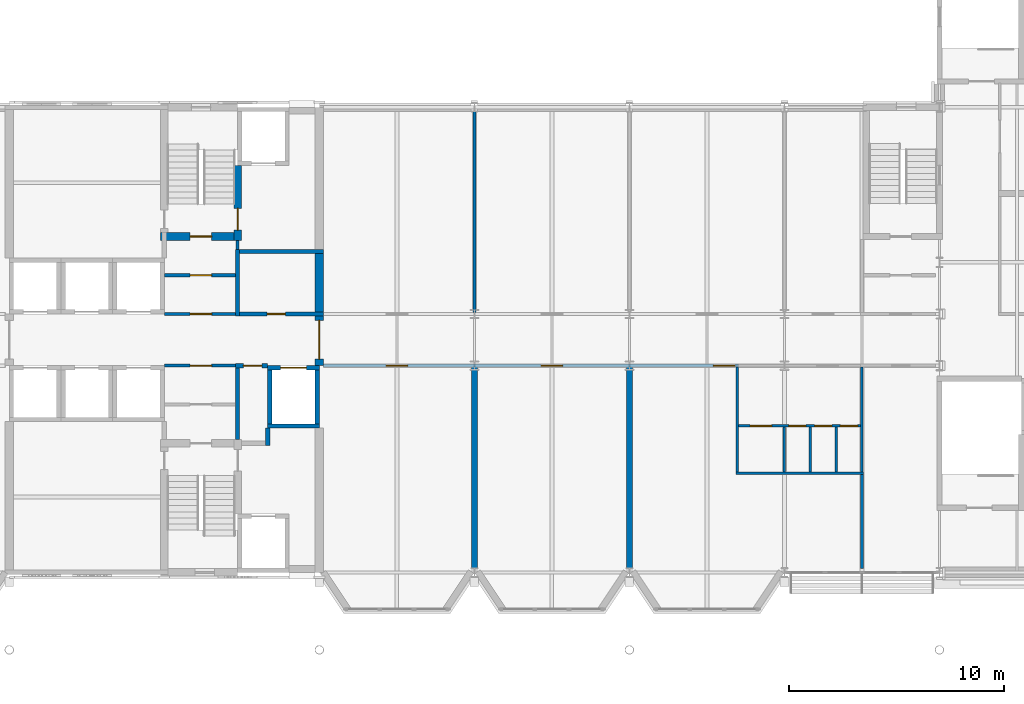
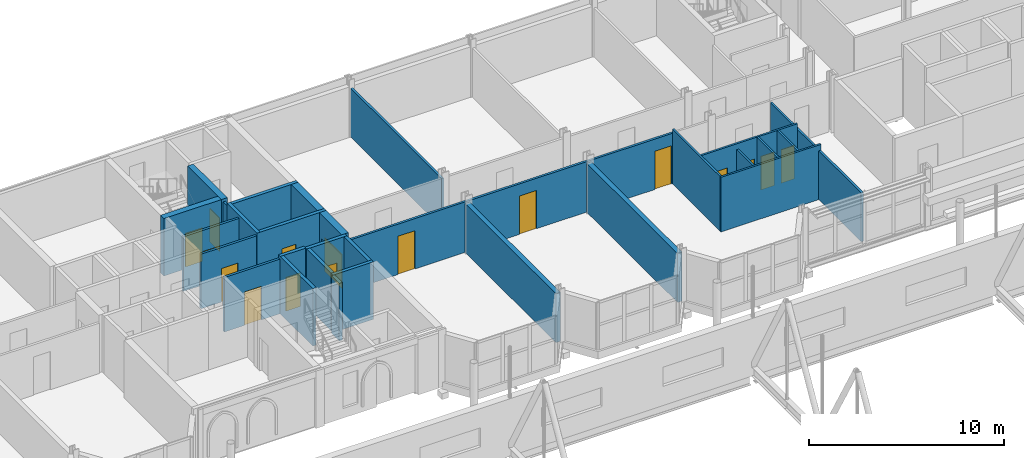
# One storey, part 99 of 142: 30 walls, 16 doors, 16 openings.
"""IFC4 building model written with IfcOpenShell, lengths in metres."""

from ifc_helpers import new_model, si_unit, direction, frame, frame_2d, origin, place, context, subcontext, project, spatial, rectangle, extrude, material, layer, layer_set, type_object, element, fill, save


model = new_model("IFC4")

# Units and contexts
model_context = context("Model", 3, precision=1e-05, world=origin(), true_north=direction((0.0, 1.0)))
body_context = subcontext(model_context, "Body", "Model", "MODEL_VIEW")
ifc_project = project(units=[si_unit("LENGTHUNIT", "METRE"), si_unit("AREAUNIT", "SQUARE_METRE"), si_unit("VOLUMEUNIT", "CUBIC_METRE"), si_unit("PLANEANGLEUNIT", "RADIAN"), si_unit("MASSUNIT", "GRAM", prefix="KILO")], contexts=[model_context])

# Site, building, storey
site_placement = place(None, origin())
site = spatial("IfcSite", under=ifc_project, at=site_placement, CompositionType="ELEMENT")
building_placement = place(site_placement, origin())
building = spatial("IfcBuilding", under=site, at=building_placement, Name="Kupolbacken Congress Centre", CompositionType="ELEMENT")
storey_placement = place(building_placement, frame((0.0, 0.0, 14.39990234375)))
storey = spatial("IfcBuildingStorey", under=building, at=storey_placement, Name="L04", CompositionType="ELEMENT", Elevation=14.39990234375)

# Wall
ifc_material_1 = material(Name="Gypsum board", Category="drywall")
ifc_layer_1 = layer(ifc_material_1, 0.114990234375)
ifc_layer_set_1 = layer_set([ifc_layer_1], Name="Gypsum board")
wall_type_1 = type_object("IfcWallType", Name="P04 partition 115", PredefinedType="PARTITIONING", material=ifc_layer_set_1)
wall_1_placement = place(storey_placement, frame((127.342529296875, 127.0, 0.0), z_axis=(0.0, 0.0, 1.0), x_axis=(1.0, 0.0, 0.0)))
element("IfcWall", 1, at=wall_1_placement, inside=storey, type_object=wall_type_1, Name="T/wall/L04/x/12700/12740", PredefinedType="PARTITIONING", context=body_context, shape_type="SweptSolid", body=[
    extrude(rectangle(XDim=5.925048828125, YDim=0.114990234375, at=frame_2d((2.96240234375, 0.0))), origin(), (0.0, 0.0, 1.0), 3.420166015625),
])

# Wall, openings, doors
wall_2_placement = place(storey_placement, frame((127.45751953125, 129.199951171875, 0.0), z_axis=(0.0, 0.0, 1.0), x_axis=(1.0, 0.0, 0.0)))
wall_2 = element("IfcWall", 2, at=wall_2_placement, inside=storey, type_object=wall_type_1, Name="T/wall/L04/x/12920/12740", PredefinedType="PARTITIONING", context=body_context, shape_type="SweptSolid", body=[
    extrude(rectangle(XDim=5.68505859375, YDim=0.114990234375, at=frame_2d((2.842529296875, 0.0))), origin(), (0.0, 0.0, 1.0), 3.420166015625),
])
opening_1_placement = place(wall_2_placement, frame((0.54248046875, 0.0, 0.0)))
opening_1 = element("IfcOpeningElement", 3, at=opening_1_placement, cuts=wall_2, Name="Opening D39", PredefinedType="OPENING", context=body_context, shape_type="SweptSolid", body=[
    extrude(rectangle(XDim=1.0, YDim=2.10009765625, at=frame_2d((0.5, 1.050048828125))), frame((0.0, 0.0673828125, 0.0), z_axis=(0.0, -1.0, 0.0), x_axis=(1.0, 0.0, 0.0)), (0.0, 0.0, 1.0), 0.135009765625),
])
opening_2_placement = place(wall_2_placement, frame((2.342529296875, 0.0, 0.0)))
opening_2 = element("IfcOpeningElement", 4, at=opening_2_placement, cuts=wall_2, Name="Opening D2", PredefinedType="OPENING", context=body_context, shape_type="SweptSolid", body=[
    extrude(rectangle(XDim=0.800048828125, YDim=2.10009765625, at=frame_2d((0.39990234375, 1.050048828125))), frame((0.0, 0.0673828125, 0.0), z_axis=(0.0, -1.0, 0.0), x_axis=(1.0, 0.0, 0.0)), (0.0, 0.0, 1.0), 0.135009765625),
])
opening_3_placement = place(wall_2_placement, frame((3.54248046875, 0.0, 0.0)))
opening_3 = element("IfcOpeningElement", 5, at=opening_3_placement, cuts=wall_2, Name="Opening D2", PredefinedType="OPENING", context=body_context, shape_type="SweptSolid", body=[
    extrude(rectangle(XDim=0.800048828125, YDim=2.10009765625, at=frame_2d((0.39990234375, 1.050048828125))), frame((0.0, 0.0673828125, 0.0), z_axis=(0.0, -1.0, 0.0), x_axis=(1.0, 0.0, 0.0)), (0.0, 0.0, 1.0), 0.135009765625),
])
opening_4_placement = place(wall_2_placement, frame((4.742431640625, 0.0, 0.0)))
opening_4 = element("IfcOpeningElement", 6, at=opening_4_placement, cuts=wall_2, Name="Opening D2", PredefinedType="OPENING", context=body_context, shape_type="SweptSolid", body=[
    extrude(rectangle(XDim=0.800048828125, YDim=2.10009765625, at=frame_2d((0.39990234375, 1.050048828125))), frame((0.0, 0.0673828125, 0.0), z_axis=(0.0, -1.0, 0.0), x_axis=(1.0, 0.0, 0.0)), (0.0, 0.0, 1.0), 0.135009765625),
])
ifc_material_2 = material(Name="Timber door leaf", Category="wood")
door_type_1 = type_object("IfcDoorType", Name="D2 door 800x2100", OperationType="SINGLE_SWING_LEFT", PredefinedType="DOOR", material=ifc_material_2)
door_1_placement = place(opening_2_placement, frame((0.800048828125, 0.0, 0.0), z_axis=(0.0, 0.0, 1.0), x_axis=(-1.0, 0.0, 0.0)))
door_1 = element("IfcDoor", 7, at=door_1_placement, inside=storey, type_object=door_type_1, Name="T/wall/L04/x/12920/12740/D-WD-DC1", OperationType="SINGLE_SWING_LEFT", OverallHeight=2.10009765625, OverallWidth=0.800048828125, PredefinedType="DOOR", context=body_context, shape_type="SweptSolid", body=[
    extrude(rectangle(XDim=0.800048828125, YDim=2.10009765625, at=frame_2d((0.39990234375, 1.050048828125))), frame((0.0, 0.02490234375, 0.0), z_axis=(0.0, -1.0, 0.0), x_axis=(1.0, 0.0, 0.0)), (0.0, 0.0, 1.0), 0.050048828125),
])
fill(opening_2, door_1)
door_2_placement = place(opening_3_placement, frame((0.800048828125, 0.0, 0.0), z_axis=(0.0, 0.0, 1.0), x_axis=(-1.0, 0.0, 0.0)))
door_2 = element("IfcDoor", 8, at=door_2_placement, inside=storey, type_object=door_type_1, Name="T/wall/L04/x/12920/12740/D-WD-DC2", OperationType="SINGLE_SWING_RIGHT", OverallHeight=2.10009765625, OverallWidth=0.800048828125, PredefinedType="DOOR", context=body_context, shape_type="SweptSolid", body=[
    extrude(rectangle(XDim=0.800048828125, YDim=2.10009765625, at=frame_2d((0.39990234375, 1.050048828125))), frame((0.0, 0.02490234375, 0.0), z_axis=(0.0, -1.0, 0.0), x_axis=(1.0, 0.0, 0.0)), (0.0, 0.0, 1.0), 0.050048828125),
])
fill(opening_3, door_2)
door_3_placement = place(opening_4_placement, frame((0.800048828125, 0.0, 0.0), z_axis=(0.0, 0.0, 1.0), x_axis=(-1.0, 0.0, 0.0)))
door_3 = element("IfcDoor", 9, at=door_3_placement, inside=storey, type_object=door_type_1, Name="T/wall/L04/x/12920/12740/D-WD-DC3", OperationType="SINGLE_SWING_RIGHT", OverallHeight=2.10009765625, OverallWidth=0.800048828125, PredefinedType="DOOR", context=body_context, shape_type="SweptSolid", body=[
    extrude(rectangle(XDim=0.800048828125, YDim=2.10009765625, at=frame_2d((0.39990234375, 1.050048828125))), frame((0.0, 0.02490234375, 0.0), z_axis=(0.0, -1.0, 0.0), x_axis=(1.0, 0.0, 0.0)), (0.0, 0.0, 1.0), 0.050048828125),
])
fill(opening_4, door_3)
ifc_material_3 = material(Name="Timber door leaf", Category="wood")
door_type_2 = type_object("IfcDoorType", Name="D39 door 1000x2100", OperationType="SINGLE_SWING_LEFT", PredefinedType="DOOR", material=ifc_material_3)
door_4_placement = place(opening_1_placement, frame((1.0, 0.0, 0.0), z_axis=(0.0, 0.0, 1.0), x_axis=(-1.0, 0.0, 0.0)))
door_4 = element("IfcDoor", 10, at=door_4_placement, inside=storey, type_object=door_type_2, Name="T/wall/L04/x/12920/12740/D-WD-DA", OperationType="SINGLE_SWING_LEFT", OverallHeight=2.10009765625, OverallWidth=1.0, PredefinedType="DOOR", context=body_context, shape_type="SweptSolid", body=[
    extrude(rectangle(XDim=1.0, YDim=2.10009765625, at=frame_2d((0.5, 1.050048828125))), frame((0.0, 0.02490234375, 0.0), z_axis=(0.0, -1.0, 0.0), x_axis=(1.0, 0.0, 0.0)), (0.0, 0.0, 1.0), 0.050048828125),
])
fill(opening_1, door_4)

# Walls
wall_3_placement = place(storey_placement, frame((127.39990234375, 127.0576171875, 0.0), z_axis=(0.0, 0.0, 1.0), x_axis=(0.0, 1.0, 0.0)))
element("IfcWall", 11, at=wall_3_placement, inside=storey, type_object=wall_type_1, Name="T/wall/L04/y/12740/12700", PredefinedType="PARTITIONING", context=body_context, shape_type="SweptSolid", body=[
    extrude(rectangle(XDim=4.875, YDim=0.114990234375, at=frame_2d((2.4375, 0.0))), origin(), (0.0, 0.0, 1.0), 3.420166015625),
])
wall_4_placement = place(storey_placement, frame((129.60009765625, 127.0576171875, 0.0), z_axis=(0.0, 0.0, 1.0), x_axis=(0.0, 1.0, 0.0)))
element("IfcWall", 12, at=wall_4_placement, inside=storey, type_object=wall_type_1, Name="T/wall/L04/y/12960/12700", PredefinedType="PARTITIONING", context=body_context, shape_type="SweptSolid", body=[
    extrude(rectangle(XDim=2.0849609375, YDim=0.114990234375, at=frame_2d((1.04248046875, 0.0))), origin(), (0.0, 0.0, 1.0), 3.06005859375),
])
for number, where, z_axis, x_axis, name in (
    (13, (130.800048828125, 127.0576171875, 0.0), (0.0, 0.0, 1.0), (0.0, 1.0, 0.0), "T/wall/L04/y/13080/12700"),
    (14, (132.0, 127.0576171875, 0.0), (0.0, 0.0, 1.0), (0.0, 1.0, 0.0), "T/wall/L04/y/13200/12700"),
):
    element("IfcWall", number, at=place(storey_placement, frame(where, z_axis=z_axis, x_axis=x_axis)), inside=storey, type_object=wall_type_1, Name=name, PredefinedType="PARTITIONING", context=body_context, shape_type="SweptSolid", body=[
        extrude(rectangle(XDim=2.0849609375, YDim=0.114990234375, at=frame_2d((1.04248046875, 0.0))), origin(), (0.0, 0.0, 1.0), 3.420166015625),
    ])
wall_5_placement = place(storey_placement, frame((133.199951171875, 127.0576171875, 0.0), z_axis=(0.0, 0.0, 1.0), x_axis=(0.0, 1.0, 0.0)))
element("IfcWall", 15, at=wall_5_placement, inside=storey, type_object=wall_type_1, Name="T/wall/L04/y/13320/12700", PredefinedType="PARTITIONING", context=body_context, shape_type="SweptSolid", body=[
    extrude(rectangle(XDim=4.875, YDim=0.114990234375, at=frame_2d((2.4375, 0.0))), origin(), (0.0, 0.0, 1.0), 3.06005859375),
])

# Wall, openings, doors
ifc_material_4 = material(Name="Gypsum board", Category="drywall")
ifc_layer_2 = layer(ifc_material_4, 0.135009765625)
ifc_layer_set_2 = layer_set([ifc_layer_2], Name="Gypsum board")
wall_type_2 = type_object("IfcWallType", Name="P06 compartment wall 135", PredefinedType="PARTITIONING", material=ifc_layer_set_2)
wall_6_placement = place(storey_placement, frame((108.199951171875, 132.0, 0.0), z_axis=(0.0, 0.0, 1.0), x_axis=(1.0, 0.0, 0.0)))
wall_6 = element("IfcWall", 16, at=wall_6_placement, inside=storey, type_object=wall_type_2, Name="T/wall/L04/x/13200/10800", PredefinedType="PARTITIONING", context=body_context, shape_type="SweptSolid", body=[
    extrude(rectangle(XDim=19.257568359375, YDim=0.135009765625, at=frame_2d((9.62890625, 0.0))), origin(), (0.0, 0.0, 1.0), 3.16015625),
])
opening_5_placement = place(wall_6_placement, frame((2.89990234375, 0.0, 0.0)))
opening_5 = element("IfcOpeningElement", 17, at=opening_5_placement, cuts=wall_6, Name="Opening D8", PredefinedType="OPENING", context=body_context, shape_type="SweptSolid", body=[
    extrude(rectangle(XDim=1.0, YDim=2.39990234375, at=frame_2d((0.5, 1.199951171875))), frame((0.0, 0.077392578125, 0.0), z_axis=(0.0, -1.0, 0.0), x_axis=(1.0, 0.0, 0.0)), (0.0, 0.0, 1.0), 0.155029296875),
])
opening_6_placement = place(wall_6_placement, frame((10.10009765625, 0.0, 0.0)))
opening_6 = element("IfcOpeningElement", 18, at=opening_6_placement, cuts=wall_6, Name="Opening D8", PredefinedType="OPENING", context=body_context, shape_type="SweptSolid", body=[
    extrude(rectangle(XDim=1.0, YDim=2.39990234375, at=frame_2d((0.5, 1.199951171875))), frame((0.0, 0.077392578125, 0.0), z_axis=(0.0, -1.0, 0.0), x_axis=(1.0, 0.0, 0.0)), (0.0, 0.0, 1.0), 0.155029296875),
])
opening_7_placement = place(wall_6_placement, frame((18.10009765625, 0.0, 0.0)))
opening_7 = element("IfcOpeningElement", 19, at=opening_7_placement, cuts=wall_6, Name="Opening D8", PredefinedType="OPENING", context=body_context, shape_type="SweptSolid", body=[
    extrude(rectangle(XDim=1.0, YDim=2.39990234375, at=frame_2d((0.5, 1.199951171875))), frame((0.0, 0.077392578125, 0.0), z_axis=(0.0, -1.0, 0.0), x_axis=(1.0, 0.0, 0.0)), (0.0, 0.0, 1.0), 0.155029296875),
])
ifc_material_5 = material(Name="Steel fire door leaf", Category="steel")
door_type_3 = type_object("IfcDoorType", Name="D8 fire door 1000x2400", OperationType="SINGLE_SWING_LEFT", PredefinedType="DOOR", material=ifc_material_5)
door_5_placement = place(opening_5_placement, origin())
door_5 = element("IfcDoor", 20, at=door_5_placement, inside=storey, type_object=door_type_3, Name="T/wall/L04/x/13200/10800/D-MR4-S1", OperationType="SINGLE_SWING_RIGHT", OverallHeight=2.39990234375, OverallWidth=1.0, PredefinedType="DOOR", context=body_context, shape_type="SweptSolid", body=[
    extrude(rectangle(XDim=1.0, YDim=2.39990234375, at=frame_2d((0.5, 1.199951171875))), frame((0.0, 0.02490234375, 0.0), z_axis=(0.0, -1.0, 0.0), x_axis=(1.0, 0.0, 0.0)), (0.0, 0.0, 1.0), 0.050048828125),
])
fill(opening_5, door_5)
door_6_placement = place(opening_6_placement, origin())
door_6 = element("IfcDoor", 21, at=door_6_placement, inside=storey, type_object=door_type_3, Name="T/wall/L04/x/13200/10800/D-BK4-S1", OperationType="SINGLE_SWING_RIGHT", OverallHeight=2.39990234375, OverallWidth=1.0, PredefinedType="DOOR", context=body_context, shape_type="SweptSolid", body=[
    extrude(rectangle(XDim=1.0, YDim=2.39990234375, at=frame_2d((0.5, 1.199951171875))), frame((0.0, 0.02490234375, 0.0), z_axis=(0.0, -1.0, 0.0), x_axis=(1.0, 0.0, 0.0)), (0.0, 0.0, 1.0), 0.050048828125),
])
fill(opening_6, door_6)
door_7_placement = place(opening_7_placement, origin())
door_7 = element("IfcDoor", 22, at=door_7_placement, inside=storey, type_object=door_type_3, Name="T/wall/L04/x/13200/10800/D-BK5-S1", OperationType="SINGLE_SWING_RIGHT", OverallHeight=2.39990234375, OverallWidth=1.0, PredefinedType="DOOR", context=body_context, shape_type="SweptSolid", body=[
    extrude(rectangle(XDim=1.0, YDim=2.39990234375, at=frame_2d((0.5, 1.199951171875))), frame((0.0, 0.02490234375, 0.0), z_axis=(0.0, -1.0, 0.0), x_axis=(1.0, 0.0, 0.0)), (0.0, 0.0, 1.0), 0.050048828125),
])
fill(opening_7, door_7)

# Walls
wall_7_placement = place(storey_placement, frame((115.199951171875, 134.467529296875, 0.0), z_axis=(0.0, 0.0, 1.0), x_axis=(0.0, 1.0, 0.0)))
element("IfcWall", 23, at=wall_7_placement, inside=storey, type_object=wall_type_2, Name="T/wall/L04/y/11520/13440", PredefinedType="PARTITIONING", context=body_context, shape_type="SweptSolid", body=[
    extrude(rectangle(XDim=9.342529296875, YDim=0.135009765625, at=frame_2d((4.67138671875, 0.0))), origin(), (0.0, 0.0, 1.0), 3.06005859375),
])
wall_8_placement = place(storey_placement, frame((133.199951171875, 122.590087890625, 0.0), z_axis=(0.0, 0.0, 1.0), x_axis=(0.0, 1.0, 0.0)))
element("IfcWall", 24, at=wall_8_placement, inside=storey, type_object=wall_type_2, Name="T/wall/L04/y/13320/12240", PredefinedType="PARTITIONING", context=body_context, shape_type="SweptSolid", body=[
    extrude(rectangle(XDim=4.352294921875, YDim=0.135009765625, at=frame_2d((2.17626953125, 0.0))), origin(), (0.0, 0.0, 1.0), 3.06005859375),
])
ifc_material_6 = material(Name="Gypsum board", Category="drywall")
ifc_layer_3 = layer(ifc_material_6, 0.27490234375)
ifc_layer_set_3 = layer_set([ifc_layer_3], Name="Gypsum board")
wall_type_3 = type_object("IfcWallType", Name="P12 partition 275", PredefinedType="PARTITIONING", material=ifc_layer_set_3)
for number, where, z_axis, x_axis, name in (
    (25, (115.199951171875, 122.60009765625, 0.0), (0.0, 0.0, 1.0), (0.0, 1.0, 0.0), "T/wall/L04/y/11520/12080"),
    (26, (122.39990234375, 122.60009765625, 0.0), (0.0, 0.0, 1.0), (0.0, 1.0, 0.0), "T/wall/L04/y/12240/12080"),
):
    element("IfcWall", number, at=place(storey_placement, frame(where, z_axis=z_axis, x_axis=x_axis)), inside=storey, type_object=wall_type_3, Name=name, PredefinedType="PARTITIONING", context=body_context, shape_type="SweptSolid", body=[
        extrude(rectangle(XDim=9.33251953125, YDim=0.27490234375, at=frame_2d((4.666259765625, 0.0))), origin(), (0.0, 0.0, 1.0), 3.06005859375),
    ])

# Wall, opening, door
ifc_material_7 = material(Name="Aerated concrete block", Category="masonry")
ifc_layer_4 = layer(ifc_material_7, 0.139892578125)
ifc_layer_set_4 = layer_set([ifc_layer_4], Name="Aerated concrete block")
wall_type_4 = type_object("IfcWallType", Name="P14 compartment wall 140", PredefinedType="PARTITIONING", material=ifc_layer_set_4)
wall_9_placement = place(storey_placement, frame((100.800048828125, 132.0, 0.0), z_axis=(0.0, 0.0, 1.0), x_axis=(1.0, 0.0, 0.0)))
wall_9 = element("IfcWall", 27, at=wall_9_placement, inside=storey, type_object=wall_type_4, Name="T/wall/L04/x/13200/10080", PredefinedType="PARTITIONING", context=body_context, shape_type="SweptSolid", body=[
    extrude(rectangle(XDim=3.300048828125, YDim=0.139892578125, at=frame_2d((1.64990234375, 0.0))), origin(), (0.0, 0.0, 1.0), 3.420166015625),
])
opening_8_placement = place(wall_9_placement, frame((1.199951171875, 0.0, 0.0)))
opening_8 = element("IfcOpeningElement", 28, at=opening_8_placement, cuts=wall_9, Name="Opening D5", PredefinedType="OPENING", context=body_context, shape_type="SweptSolid", body=[
    extrude(rectangle(XDim=1.0, YDim=2.10009765625, at=frame_2d((0.5, 1.050048828125))), frame((0.0, 0.079833984375, 0.0), z_axis=(0.0, -1.0, 0.0), x_axis=(1.0, 0.0, 0.0)), (0.0, 0.0, 1.0), 0.159912109375),
])
ifc_material_8 = material(Name="Steel fire door leaf", Category="steel")
door_type_4 = type_object("IfcDoorType", Name="D5 stair door 1000x2100", OperationType="SINGLE_SWING_LEFT", PredefinedType="DOOR", material=ifc_material_8)
door_8_placement = place(opening_8_placement, origin())
door_8 = element("IfcDoor", 29, at=door_8_placement, inside=storey, type_object=door_type_4, Name="T/wall/L04/x/13200/10080/D-TS1-LK3", OperationType="SINGLE_SWING_LEFT", OverallHeight=2.10009765625, OverallWidth=1.0, PredefinedType="DOOR", context=body_context, shape_type="SweptSolid", body=[
    extrude(rectangle(XDim=1.0, YDim=2.10009765625, at=frame_2d((0.5, 1.050048828125))), frame((0.0, 0.02490234375, 0.0), z_axis=(0.0, -1.0, 0.0), x_axis=(1.0, 0.0, 0.0)), (0.0, 0.0, 1.0), 0.050048828125),
])
fill(opening_8, door_8)

wall_10_placement = place(storey_placement, frame((100.800048828125, 134.39990234375, 0.0), z_axis=(0.0, 0.0, 1.0), x_axis=(1.0, 0.0, 0.0)))
wall_10 = element("IfcWall", 30, at=wall_10_placement, inside=storey, type_object=wall_type_4, Name="T/wall/L04/x/13440/10080", PredefinedType="PARTITIONING", context=body_context, shape_type="SweptSolid", body=[
    extrude(rectangle(XDim=3.300048828125, YDim=0.139892578125, at=frame_2d((1.64990234375, 0.0))), origin(), (0.0, 0.0, 1.0), 3.420166015625),
])
opening_9_placement = place(wall_10_placement, frame((1.199951171875, 0.0, 0.0)))
opening_9 = element("IfcOpeningElement", 31, at=opening_9_placement, cuts=wall_10, Name="Opening D5", PredefinedType="OPENING", context=body_context, shape_type="SweptSolid", body=[
    extrude(rectangle(XDim=1.0, YDim=2.10009765625, at=frame_2d((0.5, 1.050048828125))), frame((0.0, 0.079833984375, 0.0), z_axis=(0.0, -1.0, 0.0), x_axis=(1.0, 0.0, 0.0)), (0.0, 0.0, 1.0), 0.159912109375),
])
door_9_placement = place(opening_9_placement, frame((1.0, 0.0, 0.0), z_axis=(0.0, 0.0, 1.0), x_axis=(-1.0, 0.0, 0.0)))
door_9 = element("IfcDoor", 32, at=door_9_placement, inside=storey, type_object=door_type_4, Name="T/wall/L04/x/13440/10080/D-TS2-LK3", OperationType="SINGLE_SWING_LEFT", OverallHeight=2.10009765625, OverallWidth=1.0, PredefinedType="DOOR", context=body_context, shape_type="SweptSolid", body=[
    extrude(rectangle(XDim=1.0, YDim=2.10009765625, at=frame_2d((0.5, 1.050048828125))), frame((0.0, 0.02490234375, 0.0), z_axis=(0.0, -1.0, 0.0), x_axis=(1.0, 0.0, 0.0)), (0.0, 0.0, 1.0), 0.050048828125),
])
fill(opening_9, door_9)

wall_11_placement = place(storey_placement, frame((100.800048828125, 136.199951171875, 0.0), z_axis=(0.0, 0.0, 1.0), x_axis=(1.0, 0.0, 0.0)))
wall_11 = element("IfcWall", 33, at=wall_11_placement, inside=storey, type_object=wall_type_4, Name="T/wall/L04/x/13620/10080", PredefinedType="PARTITIONING", context=body_context, shape_type="SweptSolid", body=[
    extrude(rectangle(XDim=3.300048828125, YDim=0.139892578125, at=frame_2d((1.64990234375, 0.0))), origin(), (0.0, 0.0, 1.0), 3.420166015625),
])
opening_10_placement = place(wall_11_placement, frame((1.199951171875, 0.0, 0.0)))
opening_10 = element("IfcOpeningElement", 34, at=opening_10_placement, cuts=wall_11, Name="Opening D5", PredefinedType="OPENING", context=body_context, shape_type="SweptSolid", body=[
    extrude(rectangle(XDim=1.0, YDim=2.10009765625, at=frame_2d((0.5, 1.050048828125))), frame((0.0, 0.079833984375, 0.0), z_axis=(0.0, -1.0, 0.0), x_axis=(1.0, 0.0, 0.0)), (0.0, 0.0, 1.0), 0.159912109375),
])
door_10_placement = place(opening_10_placement, frame((1.0, 0.0, 0.0), z_axis=(0.0, 0.0, 1.0), x_axis=(-1.0, 0.0, 0.0)))
door_10 = element("IfcDoor", 35, at=door_10_placement, inside=storey, type_object=door_type_4, Name="T/wall/L04/x/13620/10080/D-TS2-LK2", OperationType="SINGLE_SWING_RIGHT", OverallHeight=2.10009765625, OverallWidth=1.0, PredefinedType="DOOR", context=body_context, shape_type="SweptSolid", body=[
    extrude(rectangle(XDim=1.0, YDim=2.10009765625, at=frame_2d((0.5, 1.050048828125))), frame((0.0, 0.02490234375, 0.0), z_axis=(0.0, -1.0, 0.0), x_axis=(1.0, 0.0, 0.0)), (0.0, 0.0, 1.0), 0.050048828125),
])
fill(opening_10, door_10)

# Walls
wall_12_placement = place(storey_placement, frame((104.199951171875, 137.39990234375, 0.0), z_axis=(0.0, 0.0, 1.0), x_axis=(0.0, 1.0, 0.0)))
element("IfcWall", 36, at=wall_12_placement, inside=storey, type_object=wall_type_4, Name="T/wall/L04/y/10420/13740", PredefinedType="PARTITIONING", context=body_context, shape_type="SweptSolid", body=[
    extrude(rectangle(XDim=0.425048828125, YDim=0.139892578125, at=frame_2d((0.21240234375, 0.0))), origin(), (0.0, 0.0, 1.0), 3.420166015625),
])
ifc_material_9 = material(Name="Concrete C40/50", Category="concrete")
ifc_layer_5 = layer(ifc_material_9, 0.199951171875)
ifc_layer_set_5 = layer_set([ifc_layer_5], Name="Concrete C40/50")
wall_type_5 = type_object("IfcWallType", Name="WC1 RC shaft wall 200", PredefinedType="SHEAR", material=ifc_layer_set_5)
wall_13_placement = place(storey_placement, frame((105.60009765625, 128.300048828125, 0.0), z_axis=(0.0, 0.0, 1.0), x_axis=(0.0, 1.0, 0.0)))
element("IfcWall", 37, at=wall_13_placement, inside=storey, type_object=wall_type_5, Name="Shaft wall L04-094", PredefinedType="SHEAR", context=body_context, shape_type="SweptSolid", body=[
    extrude(rectangle(XDim=0.800048828125, YDim=0.199951171875, at=frame_2d((0.39990234375, 0.0))), origin(), (0.0, 0.0, 1.0), 3.60009765625),
])
wall_14_placement = place(storey_placement, frame((104.199951171875, 132.10009765625, 0.0), z_axis=(0.0, 0.0, 1.0), x_axis=(0.0, -1.0, 0.0)))
element("IfcWall", 38, at=wall_14_placement, inside=storey, type_object=wall_type_5, Name="Shaft wall L04-109", PredefinedType="SHEAR", context=body_context, shape_type="SweptSolid", body=[
    extrude(rectangle(XDim=3.525146484375, YDim=0.199951171875, at=frame_2d((1.7626953125, 0.0))), origin(), (0.0, 0.0, 1.0), 3.60009765625),
])

# Wall, opening, door
wall_15_placement = place(storey_placement, frame((105.60009765625, 132.0, 0.0), z_axis=(0.0, 0.0, 1.0), x_axis=(-1.0, 0.0, 0.0)))
wall_15 = element("IfcWall", 39, at=wall_15_placement, inside=storey, type_object=wall_type_5, Name="Shaft wall L04-110", PredefinedType="SHEAR", context=body_context, shape_type="SweptSolid", body=[
    extrude(rectangle(XDim=1.5, YDim=0.199951171875, at=frame_2d((0.75, 0.0))), origin(), (0.0, 0.0, 1.0), 3.60009765625),
])
opening_11_placement = place(wall_15_placement, frame((0.27490234375, 0.0, 0.0)))
opening_11 = element("IfcOpeningElement", 40, at=opening_11_placement, cuts=wall_15, Name="Opening D3", PredefinedType="OPENING", context=body_context, shape_type="SweptSolid", body=[
    extrude(rectangle(XDim=0.85009765625, YDim=2.10009765625, at=frame_2d((0.425048828125, 1.050048828125))), frame((0.0, 0.10986328125, 0.0), z_axis=(0.0, -1.0, 0.0), x_axis=(1.0, 0.0, 0.0)), (0.0, 0.0, 1.0), 0.219970703125),
])
ifc_material_10 = material(Name="Steel fire door leaf", Category="steel")
door_type_5 = type_object("IfcDoorType", Name="D3 fire door 850x2100", OperationType="SINGLE_SWING_LEFT", PredefinedType="DOOR", material=ifc_material_10)
door_11_placement = place(opening_11_placement, origin())
door_11 = element("IfcDoor", 41, at=door_11_placement, inside=storey, type_object=door_type_5, Name="S/core/L04/110/D-TR3-A", OperationType="SINGLE_SWING_LEFT", OverallHeight=2.10009765625, OverallWidth=0.85009765625, PredefinedType="DOOR", context=body_context, shape_type="SweptSolid", body=[
    extrude(rectangle(XDim=0.85009765625, YDim=2.10009765625, at=frame_2d((0.425048828125, 1.050048828125))), frame((0.0, 0.02490234375, 0.0), z_axis=(0.0, -1.0, 0.0), x_axis=(1.0, 0.0, 0.0)), (0.0, 0.0, 1.0), 0.050048828125),
])
fill(opening_11, door_11)

wall_16_placement = place(storey_placement, frame((104.10009765625, 134.39990234375, 0.0), z_axis=(0.0, 0.0, 1.0), x_axis=(1.0, 0.0, 0.0)))
wall_16 = element("IfcWall", 42, at=wall_16_placement, inside=storey, type_object=wall_type_5, Name="Shaft wall L04-112", PredefinedType="SHEAR", context=body_context, shape_type="SweptSolid", body=[
    extrude(rectangle(XDim=4.099853515625, YDim=0.199951171875, at=frame_2d((2.0498046875, 0.0))), origin(), (0.0, 0.0, 1.0), 3.60009765625),
])
opening_12_placement = place(wall_16_placement, frame((1.47509765625, 0.0, 0.0)))
opening_12 = element("IfcOpeningElement", 43, at=opening_12_placement, cuts=wall_16, Name="Opening D3", PredefinedType="OPENING", context=body_context, shape_type="SweptSolid", body=[
    extrude(rectangle(XDim=0.85009765625, YDim=2.10009765625, at=frame_2d((0.425048828125, 1.050048828125))), frame((0.0, 0.10986328125, 0.0), z_axis=(0.0, -1.0, 0.0), x_axis=(1.0, 0.0, 0.0)), (0.0, 0.0, 1.0), 0.219970703125),
])
door_12_placement = place(opening_12_placement, origin())
door_12 = element("IfcDoor", 44, at=door_12_placement, inside=storey, type_object=door_type_5, Name="S/core/L04/112/D-TR4-A", OperationType="SINGLE_SWING_RIGHT", OverallHeight=2.10009765625, OverallWidth=0.85009765625, PredefinedType="DOOR", context=body_context, shape_type="SweptSolid", body=[
    extrude(rectangle(XDim=0.85009765625, YDim=2.10009765625, at=frame_2d((0.425048828125, 1.050048828125))), frame((0.0, 0.02490234375, 0.0), z_axis=(0.0, -1.0, 0.0), x_axis=(1.0, 0.0, 0.0)), (0.0, 0.0, 1.0), 0.050048828125),
])
fill(opening_12, door_12)

# Walls
wall_17_placement = place(storey_placement, frame((104.199951171875, 137.39990234375, 0.0), z_axis=(0.0, 0.0, 1.0), x_axis=(0.0, -1.0, 0.0)))
element("IfcWall", 45, at=wall_17_placement, inside=storey, type_object=wall_type_5, Name="Shaft wall L04-115", PredefinedType="SHEAR", context=body_context, shape_type="SweptSolid", body=[
    extrude(rectangle(XDim=3.099853515625, YDim=0.199951171875, at=frame_2d((1.5498046875, 0.0))), origin(), (0.0, 0.0, 1.0), 3.60009765625),
])
wall_18_placement = place(storey_placement, frame((108.199951171875, 137.300048828125, 0.0), z_axis=(0.0, 0.0, 1.0), x_axis=(-1.0, 0.0, 0.0)))
element("IfcWall", 46, at=wall_18_placement, inside=storey, type_object=wall_type_5, Name="Shaft wall L04-116", PredefinedType="SHEAR", context=body_context, shape_type="SweptSolid", body=[
    extrude(rectangle(XDim=4.099853515625, YDim=0.199951171875, at=frame_2d((2.0498046875, 0.0))), origin(), (0.0, 0.0, 1.0), 3.60009765625),
])
wall_19_placement = place(storey_placement, frame((105.60009765625, 129.199951171875, 0.0), z_axis=(0.0, 0.0, 1.0), x_axis=(1.0, 0.0, 0.0)))
element("IfcWall", 47, at=wall_19_placement, inside=storey, type_object=wall_type_5, Name="Shaft wall LV1", PredefinedType="SHEAR", context=body_context, shape_type="SweptSolid", body=[
    extrude(rectangle(XDim=2.39990234375, YDim=0.199951171875, at=frame_2d((1.199951171875, 0.0))), origin(), (0.0, 0.0, 1.0), 3.60009765625),
])

# Wall, opening, door
wall_20_placement = place(storey_placement, frame((105.60009765625, 131.89990234375, 0.0), z_axis=(0.0, 0.0, 1.0), x_axis=(1.0, 0.0, 0.0)))
wall_20 = element("IfcWall", 48, at=wall_20_placement, inside=storey, type_object=wall_type_5, Name="Shaft wall LV1", PredefinedType="SHEAR", context=body_context, shape_type="SweptSolid", body=[
    extrude(rectangle(XDim=2.39990234375, YDim=0.199951171875, at=frame_2d((1.199951171875, 0.0))), origin(), (0.0, 0.0, 1.0), 3.60009765625),
])
opening_13_placement = place(wall_20_placement, frame((0.60009765625, 0.0, 0.0)))
opening_13 = element("IfcOpeningElement", 49, at=opening_13_placement, cuts=wall_20, Name="Opening LD1", PredefinedType="OPENING", context=body_context, shape_type="SweptSolid", body=[
    extrude(rectangle(XDim=1.199951171875, YDim=2.10009765625, at=frame_2d((0.60009765625, 1.050048828125))), frame((0.0, 0.10986328125, 0.0), z_axis=(0.0, -1.0, 0.0), x_axis=(1.0, 0.0, 0.0)), (0.0, 0.0, 1.0), 0.219970703125),
])
ifc_material_11 = material(Name="Stainless steel door leaf", Category="steel")
door_type_6 = type_object("IfcDoorType", Name="LD1 lift landing door 1200x2100", OperationType="SLIDING_TO_LEFT", PredefinedType="DOOR", material=ifc_material_11)
door_13_placement = place(opening_13_placement, origin())
door_13 = element("IfcDoor", 50, at=door_13_placement, inside=storey, type_object=door_type_6, Name="Lift landing door LV1", OperationType="SLIDING_TO_LEFT", OverallHeight=2.10009765625, OverallWidth=1.199951171875, PredefinedType="DOOR", context=body_context, shape_type="SweptSolid", body=[
    extrude(rectangle(XDim=1.199951171875, YDim=2.10009765625, at=frame_2d((0.60009765625, 1.050048828125))), frame((0.0, 0.02490234375, 0.0), z_axis=(0.0, -1.0, 0.0), x_axis=(1.0, 0.0, 0.0)), (0.0, 0.0, 1.0), 0.050048828125),
])
fill(opening_13, door_13)

# Walls
for number, where, z_axis, x_axis, name in (
    (51, (105.699951171875, 129.300048828125, 0.0), (0.0, 0.0, 1.0), (0.0, 1.0, 0.0), "Shaft wall LV1"),
    (52, (107.89990234375, 129.300048828125, 0.0), (0.0, 0.0, 1.0), (0.0, 1.0, 0.0), "Shaft wall LV1"),
):
    element("IfcWall", number, at=place(storey_placement, frame(where, z_axis=z_axis, x_axis=x_axis)), inside=storey, type_object=wall_type_5, Name=name, PredefinedType="SHEAR", context=body_context, shape_type="SweptSolid", body=[
        extrude(rectangle(XDim=2.5, YDim=0.199951171875, at=frame_2d((1.25, 0.0))), origin(), (0.0, 0.0, 1.0), 3.60009765625),
    ])

# Wall, opening, door
ifc_material_12 = material(Name="Concrete C40/50", Category="concrete")
ifc_layer_6 = layer(ifc_material_12, 0.35009765625)
ifc_layer_set_6 = layer_set([ifc_layer_6], Name="Concrete C40/50")
wall_type_6 = type_object("IfcWallType", Name="WC4 RC core wall 350", PredefinedType="SHEAR", material=ifc_layer_set_6)
wall_21_placement = place(storey_placement, frame((100.625, 138.0, 0.0), z_axis=(0.0, 0.0, 1.0), x_axis=(1.0, 0.0, 0.0)))
wall_21 = element("IfcWall", 53, at=wall_21_placement, inside=storey, type_object=wall_type_6, Name="Core wall L04-120", PredefinedType="SHEAR", context=body_context, shape_type="SweptSolid", body=[
    extrude(rectangle(XDim=3.75, YDim=0.35009765625, at=frame_2d((1.875, 0.0))), origin(), (0.0, 0.0, 1.0), 3.60009765625),
])
opening_14_placement = place(wall_21_placement, frame((1.375, 0.0, 0.0)))
opening_14 = element("IfcOpeningElement", 54, at=opening_14_placement, cuts=wall_21, Name="Opening D5", PredefinedType="OPENING", context=body_context, shape_type="SweptSolid", body=[
    extrude(rectangle(XDim=1.0, YDim=2.10009765625, at=frame_2d((0.5, 1.050048828125))), frame((0.0, 0.18505859375, 0.0), z_axis=(0.0, -1.0, 0.0), x_axis=(1.0, 0.0, 0.0)), (0.0, 0.0, 1.0), 0.3701171875),
])
door_14_placement = place(opening_14_placement, origin())
door_14 = element("IfcDoor", 55, at=door_14_placement, inside=storey, type_object=door_type_4, Name="S/core/L04/120/D-TS2-LK1", OperationType="SINGLE_SWING_RIGHT", OverallHeight=2.10009765625, OverallWidth=1.0, PredefinedType="DOOR", context=body_context, shape_type="SweptSolid", body=[
    extrude(rectangle(XDim=1.0, YDim=2.10009765625, at=frame_2d((0.5, 1.050048828125))), frame((0.0, 0.02490234375, 0.0), z_axis=(0.0, -1.0, 0.0), x_axis=(1.0, 0.0, 0.0)), (0.0, 0.0, 1.0), 0.050048828125),
])
fill(opening_14, door_14)

wall_22_placement = place(storey_placement, frame((104.199951171875, 137.824951171875, 0.0), z_axis=(0.0, 0.0, 1.0), x_axis=(0.0, 1.0, 0.0)))
wall_22 = element("IfcWall", 56, at=wall_22_placement, inside=storey, type_object=wall_type_6, Name="Core wall L04-121", PredefinedType="SHEAR", context=body_context, shape_type="SweptSolid", body=[
    extrude(rectangle(XDim=3.47509765625, YDim=0.35009765625, at=frame_2d((1.737548828125, 0.0))), origin(), (0.0, 0.0, 1.0), 3.60009765625),
])
opening_15_placement = place(wall_22_placement, frame((0.47509765625, 0.0, 0.0)))
opening_15 = element("IfcOpeningElement", 57, at=opening_15_placement, cuts=wall_22, Name="Opening D5", PredefinedType="OPENING", context=body_context, shape_type="SweptSolid", body=[
    extrude(rectangle(XDim=1.0, YDim=2.10009765625, at=frame_2d((0.5, 1.050048828125))), frame((0.0, 0.18505859375, 0.0), z_axis=(0.0, -1.0, 0.0), x_axis=(1.0, 0.0, 0.0)), (0.0, 0.0, 1.0), 0.3701171875),
])
door_15_placement = place(opening_15_placement, origin())
door_15 = element("IfcDoor", 58, at=door_15_placement, inside=storey, type_object=door_type_4, Name="S/core/L04/121/D-TFL2-A", OperationType="SINGLE_SWING_RIGHT", OverallHeight=2.10009765625, OverallWidth=1.0, PredefinedType="DOOR", context=body_context, shape_type="SweptSolid", body=[
    extrude(rectangle(XDim=1.0, YDim=2.10009765625, at=frame_2d((0.5, 1.050048828125))), frame((0.0, 0.02490234375, 0.0), z_axis=(0.0, -1.0, 0.0), x_axis=(1.0, 0.0, 0.0)), (0.0, 0.0, 1.0), 0.050048828125),
])
fill(opening_15, door_15)

ifc_material_13 = material(Name="Concrete C40/50", Category="concrete")
ifc_layer_7 = layer(ifc_material_13, 0.39990234375)
ifc_layer_set_7 = layer_set([ifc_layer_7], Name="Concrete C40/50")
wall_type_7 = type_object("IfcWallType", Name="WC5 RC core wall 400", PredefinedType="SHEAR", material=ifc_layer_set_7)
wall_23_placement = place(storey_placement, frame((108.0, 132.0, 0.0), z_axis=(0.0, 0.0, 1.0), x_axis=(0.0, 1.0, 0.0)))
wall_23 = element("IfcWall", 59, at=wall_23_placement, inside=storey, type_object=wall_type_7, Name="Core wall L04-111", PredefinedType="SHEAR", context=body_context, shape_type="SweptSolid", body=[
    extrude(rectangle(XDim=2.5, YDim=0.39990234375, at=frame_2d((1.25, 0.0))), origin(), (0.0, 0.0, 1.0), 3.60009765625),
])
opening_16_placement = place(wall_23_placement, frame((0.300048828125, 0.0, 0.0)))
opening_16 = element("IfcOpeningElement", 60, at=opening_16_placement, cuts=wall_23, Name="Opening D14", PredefinedType="OPENING", context=body_context, shape_type="SweptSolid", body=[
    extrude(rectangle(XDim=1.800048828125, YDim=2.10009765625, at=frame_2d((0.89990234375, 1.050048828125))), frame((0.0, 0.2099609375, 0.0), z_axis=(0.0, -1.0, 0.0), x_axis=(1.0, 0.0, 0.0)), (0.0, 0.0, 1.0), 0.419921875),
])
ifc_material_14 = material(Name="Steel fire door leaf", Category="steel")
door_type_7 = type_object("IfcDoorType", Name="D14 fire door 1800x2100", OperationType="DOUBLE_DOOR_SINGLE_SWING", PredefinedType="DOOR", material=ifc_material_14)
door_16_placement = place(opening_16_placement, frame((1.800048828125, 0.0, 0.0), z_axis=(0.0, 0.0, 1.0), x_axis=(-1.0, 0.0, 0.0)))
door_16 = element("IfcDoor", 61, at=door_16_placement, inside=storey, type_object=door_type_7, Name="S/core/L04/111/D-CX-E", OperationType="DOUBLE_DOOR_SINGLE_SWING", OverallHeight=2.10009765625, OverallWidth=1.800048828125, PredefinedType="DOOR", context=body_context, shape_type="SweptSolid", body=[
    extrude(rectangle(XDim=1.800048828125, YDim=2.10009765625, at=frame_2d((0.89990234375, 1.050048828125))), frame((0.0, 0.02490234375, 0.0), z_axis=(0.0, -1.0, 0.0), x_axis=(1.0, 0.0, 0.0)), (0.0, 0.0, 1.0), 0.050048828125),
])
fill(opening_16, door_16)

# Wall
wall_24_placement = place(storey_placement, frame((108.0, 134.5, 0.0), z_axis=(0.0, 0.0, 1.0), x_axis=(0.0, 1.0, 0.0)))
element("IfcWall", 62, at=wall_24_placement, inside=storey, type_object=wall_type_7, Name="Core wall L04-113", PredefinedType="SHEAR", context=body_context, shape_type="SweptSolid", body=[
    extrude(rectangle(XDim=2.89990234375, YDim=0.39990234375, at=frame_2d((1.449951171875, 0.0))), origin(), (0.0, 0.0, 1.0), 3.60009765625),
])

save(model, "model.ifc")
